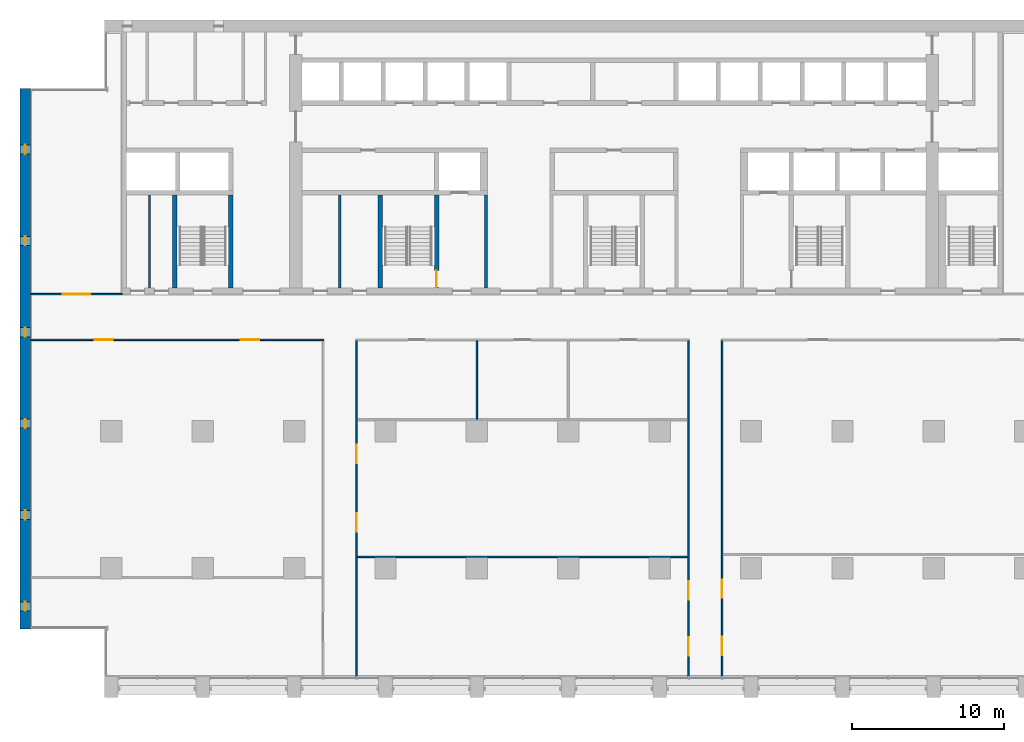
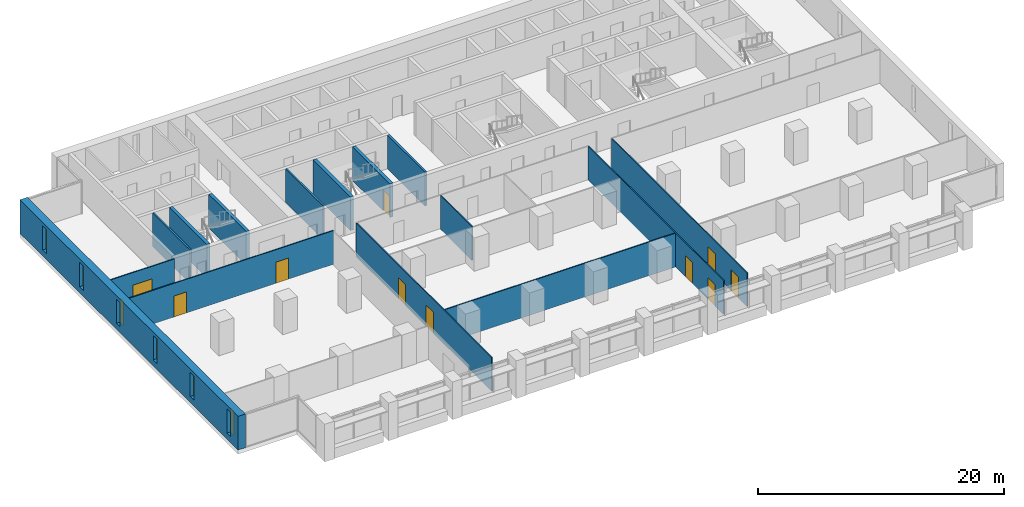
# One storey, part 8 of 15: 15 walls, 10 doors, 6 windows, 16 openings.
"""IFC4 building model written with IfcOpenShell, lengths in metres."""

from ifc_helpers import new_model, si_unit, direction, frame, frame_2d, origin, place, context, subcontext, project, spatial, rectangle, extrude, material, layer, layer_set, type_object, element, fill, save


model = new_model("IFC4")

# Units and contexts
model_context = context("Model", 3, precision=1e-05, world=origin(), true_north=direction((0.0, 1.0)))
body_context = subcontext(model_context, "Body", "Model", "MODEL_VIEW")
ifc_project = project(units=[si_unit("LENGTHUNIT", "METRE"), si_unit("AREAUNIT", "SQUARE_METRE"), si_unit("VOLUMEUNIT", "CUBIC_METRE"), si_unit("PLANEANGLEUNIT", "RADIAN"), si_unit("MASSUNIT", "GRAM", prefix="KILO")], contexts=[model_context])

# Site, building, storey
site_placement = place(None, origin())
site = spatial("IfcSite", under=ifc_project, at=site_placement, CompositionType="ELEMENT")
building_placement = place(site_placement, origin())
building = spatial("IfcBuilding", under=site, at=building_placement, Name="Calvaro Tower", CompositionType="ELEMENT")
storey_placement = place(building_placement, frame((0.0, 0.0, 110.0)))
storey = spatial("IfcBuildingStorey", under=building, at=storey_placement, Name="L27", CompositionType="ELEMENT", Elevation=110.0)

# Walls
ifc_material_1 = material(Name="Blockwork partition", Category="masonry")
ifc_layer_1 = layer(ifc_material_1, 0.14990234375)
ifc_layer_set_1 = layer_set([ifc_layer_1], Name="Blockwork partition")
wall_type_1 = type_object("IfcWallType", Name="Core partition 150 EI 60", PredefinedType="PARTITIONING", material=ifc_layer_set_1)
wall_1_placement = place(storey_placement, frame((21.0, 28.39990234375, 0.0), z_axis=(0.0, 0.0, 1.0), x_axis=(0.0, 1.0, 0.0)))
element("IfcWall", 1, at=wall_1_placement, inside=storey, type_object=wall_type_1, Name="Core partition", PredefinedType="PARTITIONING", context=body_context, shape_type="SweptSolid", body=[
    extrude(rectangle(XDim=6.10009765625, YDim=0.14990234375, at=frame_2d((3.050048828125, 0.0))), origin(), (0.0, 0.0, 1.0), 3.35009765625),
])
ifc_material_2 = material(Name="Blockwork partition", Category="masonry")
ifc_layer_2 = layer(ifc_material_2, 0.14990234375)
ifc_layer_set_2 = layer_set([ifc_layer_2], Name="Blockwork partition")
wall_type_2 = type_object("IfcWallType", Name="Core partition 150 REI 120", PredefinedType="PARTITIONING", material=ifc_layer_set_2)
wall_2_placement = place(storey_placement, frame((8.5, 28.39990234375, 0.0), z_axis=(0.0, 0.0, 1.0), x_axis=(0.0, 1.0, 0.0)))
element("IfcWall", 2, at=wall_2_placement, inside=storey, type_object=wall_type_2, Name="Core partition", PredefinedType="PARTITIONING", context=body_context, shape_type="SweptSolid", body=[
    extrude(rectangle(XDim=6.10009765625, YDim=0.14990234375, at=frame_2d((3.050048828125, 0.0))), origin(), (0.0, 0.0, 1.0), 3.35009765625),
])
ifc_material_3 = material(Name="Blockwork partition", Category="masonry")
ifc_layer_3 = layer(ifc_material_3, 0.199951171875)
ifc_layer_set_3 = layer_set([ifc_layer_3], Name="Blockwork partition")
wall_type_3 = type_object("IfcWallType", Name="Core partition 200 REI 120", PredefinedType="PARTITIONING", material=ifc_layer_set_3)
wall_3_placement = place(storey_placement, frame((30.60009765625, 28.39990234375, 0.0), z_axis=(0.0, 0.0, 1.0), x_axis=(0.0, 1.0, 0.0)))
element("IfcWall", 3, at=wall_3_placement, inside=storey, type_object=wall_type_3, Name="Core partition", PredefinedType="PARTITIONING", context=body_context, shape_type="SweptSolid", body=[
    extrude(rectangle(XDim=6.10009765625, YDim=0.199951171875, at=frame_2d((3.050048828125, 0.0))), origin(), (0.0, 0.0, 1.0), 3.35009765625),
])
ifc_material_4 = material(Name="Concrete C60/75", Category="concrete")
ifc_layer_4 = layer(ifc_material_4, 0.300048828125)
ifc_layer_set_4 = layer_set([ifc_layer_4], Name="Concrete C60/75")
wall_type_4 = type_object("IfcWallType", Name="Core wall C60/75 300", PredefinedType="SHEAR", material=ifc_layer_set_4)
for number, where, z_axis, x_axis, name in (
    (4, (10.14990234375, 28.39990234375, 0.0), (0.0, 0.0, 1.0), (0.0, 1.0, 0.0), "Core wall, stair enclosure"),
    (5, (13.85009765625, 28.39990234375, 0.0), (0.0, 0.0, 1.0), (0.0, 1.0, 0.0), "Core wall, stair enclosure"),
    (6, (23.64990234375, 28.39990234375, 0.0), (0.0, 0.0, 1.0), (0.0, 1.0, 0.0), "Core wall, stair enclosure"),
):
    element("IfcWall", number, at=place(storey_placement, frame(where, z_axis=z_axis, x_axis=x_axis)), inside=storey, type_object=wall_type_4, Name=name, PredefinedType="SHEAR", context=body_context, shape_type="SweptSolid", body=[
        extrude(rectangle(XDim=6.10009765625, YDim=0.300048828125, at=frame_2d((3.050048828125, 0.0))), origin(), (0.0, 0.0, 1.0), 3.35009765625),
    ])

# Wall, opening, door
wall_4_placement = place(storey_placement, frame((27.35009765625, 28.39990234375, 0.0), z_axis=(0.0, 0.0, 1.0), x_axis=(0.0, 1.0, 0.0)))
wall_4 = element("IfcWall", 7, at=wall_4_placement, inside=storey, type_object=wall_type_4, Name="Core wall, stair enclosure", PredefinedType="SHEAR", context=body_context, shape_type="SweptSolid", body=[
    extrude(rectangle(XDim=6.10009765625, YDim=0.300048828125, at=frame_2d((3.050048828125, 0.0))), origin(), (0.0, 0.0, 1.0), 3.35009765625),
])
opening_1_placement = place(wall_4_placement, frame((0.050048828125, 0.0, 0.0)))
opening_1 = element("IfcOpeningElement", 8, at=opening_1_placement, cuts=wall_4, Name="Opening FD11D", PredefinedType="OPENING", context=body_context, shape_type="SweptSolid", body=[
    extrude(rectangle(XDim=1.10009765625, YDim=2.10009765625, at=frame_2d((0.550048828125, 1.050048828125))), frame((0.0, 0.159912109375, 0.0), z_axis=(0.0, -1.0, 0.0), x_axis=(1.0, 0.0, 0.0)), (0.0, 0.0, 1.0), 0.320068359375),
])
ifc_material_5 = material(Name="Steel door set", Category="steel")
door_type_1 = type_object("IfcDoorType", Name="Fire door 1100 FD30S", OperationType="SINGLE_SWING_LEFT", PredefinedType="DOOR", material=ifc_material_5)
door_1_placement = place(opening_1_placement, origin())
door_1 = element("IfcDoor", 9, at=door_1_placement, inside=storey, type_object=door_type_1, Name="Fire door", OperationType="SINGLE_SWING_LEFT", OverallHeight=2.10009765625, OverallWidth=1.10009765625, PredefinedType="DOOR", context=body_context, shape_type="SweptSolid", body=[
    extrude(rectangle(XDim=1.10009765625, YDim=2.10009765625, at=frame_2d((0.550048828125, 1.050048828125))), frame((0.0, 0.02490234375, 0.0), z_axis=(0.0, -1.0, 0.0), x_axis=(1.0, 0.0, 0.0)), (0.0, 0.0, 1.0), 0.050048828125),
])
fill(opening_1, door_1)

# Wall, openings, windows
ifc_material_6 = material(Name="Concrete C60/75", Category="concrete")
ifc_layer_5 = layer(ifc_material_6, 0.699951171875)
ifc_layer_set_5 = layer_set([ifc_layer_5], Name="Concrete C60/75")
wall_type_5 = type_object("IfcWallType", Name="End wall 700 C60/75", PredefinedType="SHEAR", material=ifc_layer_set_5)
wall_5_placement = place(storey_placement, frame((0.35009765625, 6.0, 0.0), z_axis=(0.0, 0.0, 1.0), x_axis=(0.0, 1.0, 0.0)))
wall_5 = element("IfcWall", 10, at=wall_5_placement, inside=storey, type_object=wall_type_5, Name="End shear wall", PredefinedType="SHEAR", context=body_context, shape_type="SweptSolid", body=[
    extrude(rectangle(XDim=35.5, YDim=0.699951171875, at=frame_2d((17.75, 0.0))), origin(), (0.0, 0.0, 1.0), 3.35009765625),
])
opening_2_placement = place(wall_5_placement, frame((1.199951171875, 0.0, 0.60009765625)))
opening_2 = element("IfcOpeningElement", 11, at=opening_2_placement, cuts=wall_5, Name="Opening WW01", PredefinedType="OPENING", context=body_context, shape_type="SweptSolid", body=[
    extrude(rectangle(XDim=0.60009765625, YDim=2.39990234375, at=frame_2d((0.300048828125, 1.199951171875))), frame((0.0, 0.35986328125, 0.0), z_axis=(0.0, -1.0, 0.0), x_axis=(1.0, 0.0, 0.0)), (0.0, 0.0, 1.0), 0.719970703125),
])
opening_3_placement = place(wall_5_placement, frame((7.199951171875, 0.0, 0.60009765625)))
opening_3 = element("IfcOpeningElement", 12, at=opening_3_placement, cuts=wall_5, Name="Opening WW02", PredefinedType="OPENING", context=body_context, shape_type="SweptSolid", body=[
    extrude(rectangle(XDim=0.60009765625, YDim=2.39990234375, at=frame_2d((0.300048828125, 1.199951171875))), frame((0.0, 0.35986328125, 0.0), z_axis=(0.0, -1.0, 0.0), x_axis=(1.0, 0.0, 0.0)), (0.0, 0.0, 1.0), 0.719970703125),
])
opening_4_placement = place(wall_5_placement, frame((13.199951171875, 0.0, 0.60009765625)))
opening_4 = element("IfcOpeningElement", 13, at=opening_4_placement, cuts=wall_5, Name="Opening WW03", PredefinedType="OPENING", context=body_context, shape_type="SweptSolid", body=[
    extrude(rectangle(XDim=0.60009765625, YDim=2.39990234375, at=frame_2d((0.300048828125, 1.199951171875))), frame((0.0, 0.35986328125, 0.0), z_axis=(0.0, -1.0, 0.0), x_axis=(1.0, 0.0, 0.0)), (0.0, 0.0, 1.0), 0.719970703125),
])
opening_5_placement = place(wall_5_placement, frame((19.199951171875, 0.0, 0.60009765625)))
opening_5 = element("IfcOpeningElement", 14, at=opening_5_placement, cuts=wall_5, Name="Opening WW04", PredefinedType="OPENING", context=body_context, shape_type="SweptSolid", body=[
    extrude(rectangle(XDim=0.60009765625, YDim=2.39990234375, at=frame_2d((0.300048828125, 1.199951171875))), frame((0.0, 0.35986328125, 0.0), z_axis=(0.0, -1.0, 0.0), x_axis=(1.0, 0.0, 0.0)), (0.0, 0.0, 1.0), 0.719970703125),
])
opening_6_placement = place(wall_5_placement, frame((25.199951171875, 0.0, 0.60009765625)))
opening_6 = element("IfcOpeningElement", 15, at=opening_6_placement, cuts=wall_5, Name="Opening WW05", PredefinedType="OPENING", context=body_context, shape_type="SweptSolid", body=[
    extrude(rectangle(XDim=0.60009765625, YDim=2.39990234375, at=frame_2d((0.300048828125, 1.199951171875))), frame((0.0, 0.35986328125, 0.0), z_axis=(0.0, -1.0, 0.0), x_axis=(1.0, 0.0, 0.0)), (0.0, 0.0, 1.0), 0.719970703125),
])
opening_7_placement = place(wall_5_placement, frame((31.199951171875, 0.0, 0.60009765625)))
opening_7 = element("IfcOpeningElement", 16, at=opening_7_placement, cuts=wall_5, Name="Opening WW06", PredefinedType="OPENING", context=body_context, shape_type="SweptSolid", body=[
    extrude(rectangle(XDim=0.60009765625, YDim=2.39990234375, at=frame_2d((0.300048828125, 1.199951171875))), frame((0.0, 0.35986328125, 0.0), z_axis=(0.0, -1.0, 0.0), x_axis=(1.0, 0.0, 0.0)), (0.0, 0.0, 1.0), 0.719970703125),
])
ifc_material_7 = material(Name="Glass", Category="glass")
window_type = type_object("IfcWindowType", Name="Slit window 600 x 2400", PartitioningType="SINGLE_PANEL", PredefinedType="WINDOW", material=ifc_material_7)
window_1_placement = place(opening_2_placement, origin())
window_1 = element("IfcWindow", 17, at=window_1_placement, inside=storey, type_object=window_type, Name="Window WW01", OverallHeight=2.39990234375, OverallWidth=0.60009765625, PartitioningType="SINGLE_PANEL", PredefinedType="WINDOW", context=body_context, shape_type="SweptSolid", body=[
    extrude(rectangle(XDim=0.60009765625, YDim=2.39990234375, at=frame_2d((0.300048828125, 1.199951171875))), frame((0.0, 0.030029296875, 0.0), z_axis=(0.0, -1.0, 0.0), x_axis=(1.0, 0.0, 0.0)), (0.0, 0.0, 1.0), 0.06005859375),
])
fill(opening_2, window_1)
window_2_placement = place(opening_3_placement, origin())
window_2 = element("IfcWindow", 18, at=window_2_placement, inside=storey, type_object=window_type, Name="Window WW02", OverallHeight=2.39990234375, OverallWidth=0.60009765625, PartitioningType="SINGLE_PANEL", PredefinedType="WINDOW", context=body_context, shape_type="SweptSolid", body=[
    extrude(rectangle(XDim=0.60009765625, YDim=2.39990234375, at=frame_2d((0.300048828125, 1.199951171875))), frame((0.0, 0.030029296875, 0.0), z_axis=(0.0, -1.0, 0.0), x_axis=(1.0, 0.0, 0.0)), (0.0, 0.0, 1.0), 0.06005859375),
])
fill(opening_3, window_2)
window_3_placement = place(opening_4_placement, origin())
window_3 = element("IfcWindow", 19, at=window_3_placement, inside=storey, type_object=window_type, Name="Window WW03", OverallHeight=2.39990234375, OverallWidth=0.60009765625, PartitioningType="SINGLE_PANEL", PredefinedType="WINDOW", context=body_context, shape_type="SweptSolid", body=[
    extrude(rectangle(XDim=0.60009765625, YDim=2.39990234375, at=frame_2d((0.300048828125, 1.199951171875))), frame((0.0, 0.030029296875, 0.0), z_axis=(0.0, -1.0, 0.0), x_axis=(1.0, 0.0, 0.0)), (0.0, 0.0, 1.0), 0.06005859375),
])
fill(opening_4, window_3)
window_4_placement = place(opening_5_placement, origin())
window_4 = element("IfcWindow", 20, at=window_4_placement, inside=storey, type_object=window_type, Name="Window WW04", OverallHeight=2.39990234375, OverallWidth=0.60009765625, PartitioningType="SINGLE_PANEL", PredefinedType="WINDOW", context=body_context, shape_type="SweptSolid", body=[
    extrude(rectangle(XDim=0.60009765625, YDim=2.39990234375, at=frame_2d((0.300048828125, 1.199951171875))), frame((0.0, 0.030029296875, 0.0), z_axis=(0.0, -1.0, 0.0), x_axis=(1.0, 0.0, 0.0)), (0.0, 0.0, 1.0), 0.06005859375),
])
fill(opening_5, window_4)
window_5_placement = place(opening_6_placement, origin())
window_5 = element("IfcWindow", 21, at=window_5_placement, inside=storey, type_object=window_type, Name="Window WW05", OverallHeight=2.39990234375, OverallWidth=0.60009765625, PartitioningType="SINGLE_PANEL", PredefinedType="WINDOW", context=body_context, shape_type="SweptSolid", body=[
    extrude(rectangle(XDim=0.60009765625, YDim=2.39990234375, at=frame_2d((0.300048828125, 1.199951171875))), frame((0.0, 0.030029296875, 0.0), z_axis=(0.0, -1.0, 0.0), x_axis=(1.0, 0.0, 0.0)), (0.0, 0.0, 1.0), 0.06005859375),
])
fill(opening_6, window_5)
window_6_placement = place(opening_7_placement, origin())
window_6 = element("IfcWindow", 22, at=window_6_placement, inside=storey, type_object=window_type, Name="Window WW06", OverallHeight=2.39990234375, OverallWidth=0.60009765625, PartitioningType="SINGLE_PANEL", PredefinedType="WINDOW", context=body_context, shape_type="SweptSolid", body=[
    extrude(rectangle(XDim=0.60009765625, YDim=2.39990234375, at=frame_2d((0.300048828125, 1.199951171875))), frame((0.0, 0.030029296875, 0.0), z_axis=(0.0, -1.0, 0.0), x_axis=(1.0, 0.0, 0.0)), (0.0, 0.0, 1.0), 0.06005859375),
])
fill(opening_7, window_6)

# Wall
ifc_material_8 = material(Name="Plasterboard on steel studs", Category="steel")
ifc_layer_6 = layer(ifc_material_8, 0.10009765625)
ifc_layer_set_6 = layer_set([ifc_layer_6], Name="Plasterboard on steel studs")
wall_type_6 = type_object("IfcWallType", Name="Partition 100", PredefinedType="PARTITIONING", material=ifc_layer_set_6)
wall_6_placement = place(storey_placement, frame((22.14990234375, 10.75, 0.0), z_axis=(0.0, 0.0, 1.0), x_axis=(1.0, 0.0, 0.0)))
element("IfcWall", 23, at=wall_6_placement, inside=storey, type_object=wall_type_6, Name="Partition T17.W005", PredefinedType="PARTITIONING", context=body_context, shape_type="SweptSolid", body=[
    extrude(rectangle(XDim=21.7001953125, YDim=0.10009765625, at=frame_2d((10.85009765625, 0.0))), origin(), (0.0, 0.0, 1.0), 3.35009765625),
])

# Wall, openings, doors
wall_7_placement = place(storey_placement, frame((0.699951171875, 25.0, 0.0), z_axis=(0.0, 0.0, 1.0), x_axis=(1.0, 0.0, 0.0)))
wall_7 = element("IfcWall", 24, at=wall_7_placement, inside=storey, type_object=wall_type_6, Name="Partition T17.W008", PredefinedType="PARTITIONING", context=body_context, shape_type="SweptSolid", body=[
    extrude(rectangle(XDim=19.25, YDim=0.10009765625, at=frame_2d((9.625, 0.0))), origin(), (0.0, 0.0, 1.0), 3.35009765625),
])
opening_8_placement = place(wall_7_placement, frame((4.199951171875, 0.0, 0.0)))
opening_8 = element("IfcOpeningElement", 25, at=opening_8_placement, cuts=wall_7, Name="Opening T17.008", PredefinedType="OPENING", context=body_context, shape_type="SweptSolid", body=[
    extrude(rectangle(XDim=1.199951171875, YDim=2.10009765625, at=frame_2d((0.60009765625, 1.050048828125))), frame((0.0, 0.06005859375, 0.0), z_axis=(0.0, -1.0, 0.0), x_axis=(1.0, 0.0, 0.0)), (0.0, 0.0, 1.0), 0.1201171875),
])
opening_9_placement = place(wall_7_placement, frame((13.800048828125, 0.0, 0.0)))
opening_9 = element("IfcOpeningElement", 26, at=opening_9_placement, cuts=wall_7, Name="Opening T17.009", PredefinedType="OPENING", context=body_context, shape_type="SweptSolid", body=[
    extrude(rectangle(XDim=1.199951171875, YDim=2.10009765625, at=frame_2d((0.60009765625, 1.050048828125))), frame((0.0, 0.06005859375, 0.0), z_axis=(0.0, -1.0, 0.0), x_axis=(1.0, 0.0, 0.0)), (0.0, 0.0, 1.0), 0.1201171875),
])
ifc_material_9 = material(Name="Timber", Category="wood")
door_type_2 = type_object("IfcDoorType", Name="Internal single door 1200 x 2100", OperationType="SINGLE_SWING_LEFT", PredefinedType="DOOR", material=ifc_material_9)
door_2_placement = place(opening_8_placement, origin())
door_2 = element("IfcDoor", 27, at=door_2_placement, inside=storey, type_object=door_type_2, Name="Door T17.008", OperationType="SINGLE_SWING_LEFT", OverallHeight=2.10009765625, OverallWidth=1.199951171875, PredefinedType="DOOR", context=body_context, shape_type="SweptSolid", body=[
    extrude(rectangle(XDim=1.199951171875, YDim=2.10009765625, at=frame_2d((0.60009765625, 1.050048828125))), frame((0.0, 0.02490234375, 0.0), z_axis=(0.0, -1.0, 0.0), x_axis=(1.0, 0.0, 0.0)), (0.0, 0.0, 1.0), 0.050048828125),
])
fill(opening_8, door_2)
door_3_placement = place(opening_9_placement, origin())
door_3 = element("IfcDoor", 28, at=door_3_placement, inside=storey, type_object=door_type_2, Name="Door T17.009", OperationType="SINGLE_SWING_RIGHT", OverallHeight=2.10009765625, OverallWidth=1.199951171875, PredefinedType="DOOR", context=body_context, shape_type="SweptSolid", body=[
    extrude(rectangle(XDim=1.199951171875, YDim=2.10009765625, at=frame_2d((0.60009765625, 1.050048828125))), frame((0.0, 0.02490234375, 0.0), z_axis=(0.0, -1.0, 0.0), x_axis=(1.0, 0.0, 0.0)), (0.0, 0.0, 1.0), 0.050048828125),
])
fill(opening_9, door_3)

# Wall, opening, door
wall_8_placement = place(storey_placement, frame((0.699951171875, 28.0, 0.0), z_axis=(0.0, 0.0, 1.0), x_axis=(1.0, 0.0, 0.0)))
wall_8 = element("IfcWall", 29, at=wall_8_placement, inside=storey, type_object=wall_type_6, Name="Partition T17.W011", PredefinedType="PARTITIONING", context=body_context, shape_type="SweptSolid", body=[
    extrude(rectangle(XDim=6.0, YDim=0.10009765625, at=frame_2d((3.0, 0.0))), origin(), (0.0, 0.0, 1.0), 3.35009765625),
])
opening_10_placement = place(wall_8_placement, frame((2.10009765625, 0.0, 0.0)))
opening_10 = element("IfcOpeningElement", 30, at=opening_10_placement, cuts=wall_8, Name="Opening T17.015", PredefinedType="OPENING", context=body_context, shape_type="SweptSolid", body=[
    extrude(rectangle(XDim=1.800048828125, YDim=2.10009765625, at=frame_2d((0.89990234375, 1.050048828125))), frame((0.0, 0.06005859375, 0.0), z_axis=(0.0, -1.0, 0.0), x_axis=(1.0, 0.0, 0.0)), (0.0, 0.0, 1.0), 0.1201171875),
])
ifc_material_10 = material(Name="Timber", Category="wood")
door_type_3 = type_object("IfcDoorType", Name="Internal double door 1800 x 2100", OperationType="DOUBLE_DOOR_SINGLE_SWING", PredefinedType="DOOR", material=ifc_material_10)
door_4_placement = place(opening_10_placement, origin())
door_4 = element("IfcDoor", 31, at=door_4_placement, inside=storey, type_object=door_type_3, Name="Door T17.015", OperationType="DOUBLE_DOOR_SINGLE_SWING", OverallHeight=2.10009765625, OverallWidth=1.800048828125, PredefinedType="DOOR", context=body_context, shape_type="SweptSolid", body=[
    extrude(rectangle(XDim=1.800048828125, YDim=2.10009765625, at=frame_2d((0.89990234375, 1.050048828125))), frame((0.0, 0.02490234375, 0.0), z_axis=(0.0, -1.0, 0.0), x_axis=(1.0, 0.0, 0.0)), (0.0, 0.0, 1.0), 0.050048828125),
])
fill(opening_10, door_4)

# Wall, openings, doors
wall_9_placement = place(storey_placement, frame((22.10009765625, 2.89990234375, 0.0), z_axis=(0.0, 0.0, 1.0), x_axis=(0.0, 1.0, 0.0)))
wall_9 = element("IfcWall", 32, at=wall_9_placement, inside=storey, type_object=wall_type_6, Name="Partition T17.W014", PredefinedType="PARTITIONING", context=body_context, shape_type="SweptSolid", body=[
    extrude(rectangle(XDim=22.050048828125, YDim=0.10009765625, at=frame_2d((11.02490234375, 0.0))), origin(), (0.0, 0.0, 1.0), 3.35009765625),
])
opening_11_placement = place(wall_9_placement, frame((9.5, 0.0, 0.0)))
opening_11 = element("IfcOpeningElement", 33, at=opening_11_placement, cuts=wall_9, Name="Opening T17.006", PredefinedType="OPENING", context=body_context, shape_type="SweptSolid", body=[
    extrude(rectangle(XDim=1.199951171875, YDim=2.10009765625, at=frame_2d((0.60009765625, 1.050048828125))), frame((0.0, 0.06005859375, 0.0), z_axis=(0.0, -1.0, 0.0), x_axis=(1.0, 0.0, 0.0)), (0.0, 0.0, 1.0), 0.1201171875),
])
opening_12_placement = place(wall_9_placement, frame((14.0, 0.0, 0.0)))
opening_12 = element("IfcOpeningElement", 34, at=opening_12_placement, cuts=wall_9, Name="Opening T17.007", PredefinedType="OPENING", context=body_context, shape_type="SweptSolid", body=[
    extrude(rectangle(XDim=1.199951171875, YDim=2.10009765625, at=frame_2d((0.60009765625, 1.050048828125))), frame((0.0, 0.06005859375, 0.0), z_axis=(0.0, -1.0, 0.0), x_axis=(1.0, 0.0, 0.0)), (0.0, 0.0, 1.0), 0.1201171875),
])
door_5_placement = place(opening_11_placement, origin())
door_5 = element("IfcDoor", 35, at=door_5_placement, inside=storey, type_object=door_type_2, Name="Door T17.006", OperationType="SINGLE_SWING_LEFT", OverallHeight=2.10009765625, OverallWidth=1.199951171875, PredefinedType="DOOR", context=body_context, shape_type="SweptSolid", body=[
    extrude(rectangle(XDim=1.199951171875, YDim=2.10009765625, at=frame_2d((0.60009765625, 1.050048828125))), frame((0.0, 0.02490234375, 0.0), z_axis=(0.0, -1.0, 0.0), x_axis=(1.0, 0.0, 0.0)), (0.0, 0.0, 1.0), 0.050048828125),
])
fill(opening_11, door_5)
door_6_placement = place(opening_12_placement, origin())
door_6 = element("IfcDoor", 36, at=door_6_placement, inside=storey, type_object=door_type_2, Name="Door T17.007", OperationType="SINGLE_SWING_RIGHT", OverallHeight=2.10009765625, OverallWidth=1.199951171875, PredefinedType="DOOR", context=body_context, shape_type="SweptSolid", body=[
    extrude(rectangle(XDim=1.199951171875, YDim=2.10009765625, at=frame_2d((0.60009765625, 1.050048828125))), frame((0.0, 0.02490234375, 0.0), z_axis=(0.0, -1.0, 0.0), x_axis=(1.0, 0.0, 0.0)), (0.0, 0.0, 1.0), 0.050048828125),
])
fill(opening_12, door_6)

# Wall
wall_10_placement = place(storey_placement, frame((30.0, 19.800048828125, 0.0), z_axis=(0.0, 0.0, 1.0), x_axis=(0.0, 1.0, 0.0)))
element("IfcWall", 37, at=wall_10_placement, inside=storey, type_object=wall_type_6, Name="Partition T17.W015", PredefinedType="PARTITIONING", context=body_context, shape_type="SweptSolid", body=[
    extrude(rectangle(XDim=5.14990234375, YDim=0.10009765625, at=frame_2d((2.574951171875, 0.0))), origin(), (0.0, 0.0, 1.0), 3.35009765625),
])

# Wall, openings, doors
wall_11_placement = place(storey_placement, frame((43.89990234375, 2.89990234375, 0.0), z_axis=(0.0, 0.0, 1.0), x_axis=(0.0, 1.0, 0.0)))
wall_11 = element("IfcWall", 38, at=wall_11_placement, inside=storey, type_object=wall_type_6, Name="Partition T17.W017", PredefinedType="PARTITIONING", context=body_context, shape_type="SweptSolid", body=[
    extrude(rectangle(XDim=22.050048828125, YDim=0.10009765625, at=frame_2d((11.02490234375, 0.0))), origin(), (0.0, 0.0, 1.0), 3.35009765625),
])
opening_13_placement = place(wall_11_placement, frame((1.362548828125, 0.0, 0.0)))
opening_13 = element("IfcOpeningElement", 39, at=opening_13_placement, cuts=wall_11, Name="Opening T17.002", PredefinedType="OPENING", context=body_context, shape_type="SweptSolid", body=[
    extrude(rectangle(XDim=1.199951171875, YDim=2.10009765625, at=frame_2d((0.60009765625, 1.050048828125))), frame((0.0, 0.06005859375, 0.0), z_axis=(0.0, -1.0, 0.0), x_axis=(1.0, 0.0, 0.0)), (0.0, 0.0, 1.0), 0.1201171875),
])
opening_14_placement = place(wall_11_placement, frame((5.03759765625, 0.0, 0.0)))
opening_14 = element("IfcOpeningElement", 40, at=opening_14_placement, cuts=wall_11, Name="Opening T17.003", PredefinedType="OPENING", context=body_context, shape_type="SweptSolid", body=[
    extrude(rectangle(XDim=1.199951171875, YDim=2.10009765625, at=frame_2d((0.60009765625, 1.050048828125))), frame((0.0, 0.06005859375, 0.0), z_axis=(0.0, -1.0, 0.0), x_axis=(1.0, 0.0, 0.0)), (0.0, 0.0, 1.0), 0.1201171875),
])
door_7_placement = place(opening_13_placement, origin())
door_7 = element("IfcDoor", 41, at=door_7_placement, inside=storey, type_object=door_type_2, Name="Door T17.002", OperationType="SINGLE_SWING_LEFT", OverallHeight=2.10009765625, OverallWidth=1.199951171875, PredefinedType="DOOR", context=body_context, shape_type="SweptSolid", body=[
    extrude(rectangle(XDim=1.199951171875, YDim=2.10009765625, at=frame_2d((0.60009765625, 1.050048828125))), frame((0.0, 0.02490234375, 0.0), z_axis=(0.0, -1.0, 0.0), x_axis=(1.0, 0.0, 0.0)), (0.0, 0.0, 1.0), 0.050048828125),
])
fill(opening_13, door_7)
door_8_placement = place(opening_14_placement, origin())
door_8 = element("IfcDoor", 42, at=door_8_placement, inside=storey, type_object=door_type_2, Name="Door T17.003", OperationType="SINGLE_SWING_LEFT", OverallHeight=2.10009765625, OverallWidth=1.199951171875, PredefinedType="DOOR", context=body_context, shape_type="SweptSolid", body=[
    extrude(rectangle(XDim=1.199951171875, YDim=2.10009765625, at=frame_2d((0.60009765625, 1.050048828125))), frame((0.0, 0.02490234375, 0.0), z_axis=(0.0, -1.0, 0.0), x_axis=(1.0, 0.0, 0.0)), (0.0, 0.0, 1.0), 0.050048828125),
])
fill(opening_14, door_8)

wall_12_placement = place(storey_placement, frame((46.10009765625, 2.89990234375, 0.0), z_axis=(0.0, 0.0, 1.0), x_axis=(0.0, 1.0, 0.0)))
wall_12 = element("IfcWall", 43, at=wall_12_placement, inside=storey, type_object=wall_type_6, Name="Partition T17.W018", PredefinedType="PARTITIONING", context=body_context, shape_type="SweptSolid", body=[
    extrude(rectangle(XDim=22.050048828125, YDim=0.10009765625, at=frame_2d((11.02490234375, 0.0))), origin(), (0.0, 0.0, 1.0), 3.35009765625),
])
opening_15_placement = place(wall_12_placement, frame((1.39990234375, 0.0, 0.0)))
opening_15 = element("IfcOpeningElement", 44, at=opening_15_placement, cuts=wall_12, Name="Opening T17.004", PredefinedType="OPENING", context=body_context, shape_type="SweptSolid", body=[
    extrude(rectangle(XDim=1.199951171875, YDim=2.10009765625, at=frame_2d((0.60009765625, 1.050048828125))), frame((0.0, 0.06005859375, 0.0), z_axis=(0.0, -1.0, 0.0), x_axis=(1.0, 0.0, 0.0)), (0.0, 0.0, 1.0), 0.1201171875),
])
opening_16_placement = place(wall_12_placement, frame((5.14990234375, 0.0, 0.0)))
opening_16 = element("IfcOpeningElement", 45, at=opening_16_placement, cuts=wall_12, Name="Opening T17.005", PredefinedType="OPENING", context=body_context, shape_type="SweptSolid", body=[
    extrude(rectangle(XDim=1.199951171875, YDim=2.10009765625, at=frame_2d((0.60009765625, 1.050048828125))), frame((0.0, 0.06005859375, 0.0), z_axis=(0.0, -1.0, 0.0), x_axis=(1.0, 0.0, 0.0)), (0.0, 0.0, 1.0), 0.1201171875),
])
door_9_placement = place(opening_15_placement, origin())
door_9 = element("IfcDoor", 46, at=door_9_placement, inside=storey, type_object=door_type_2, Name="Door T17.004", OperationType="SINGLE_SWING_LEFT", OverallHeight=2.10009765625, OverallWidth=1.199951171875, PredefinedType="DOOR", context=body_context, shape_type="SweptSolid", body=[
    extrude(rectangle(XDim=1.199951171875, YDim=2.10009765625, at=frame_2d((0.60009765625, 1.050048828125))), frame((0.0, 0.02490234375, 0.0), z_axis=(0.0, -1.0, 0.0), x_axis=(1.0, 0.0, 0.0)), (0.0, 0.0, 1.0), 0.050048828125),
])
fill(opening_15, door_9)
door_10_placement = place(opening_16_placement, origin())
door_10 = element("IfcDoor", 47, at=door_10_placement, inside=storey, type_object=door_type_2, Name="Door T17.005", OperationType="SINGLE_SWING_LEFT", OverallHeight=2.10009765625, OverallWidth=1.199951171875, PredefinedType="DOOR", context=body_context, shape_type="SweptSolid", body=[
    extrude(rectangle(XDim=1.199951171875, YDim=2.10009765625, at=frame_2d((0.60009765625, 1.050048828125))), frame((0.0, 0.02490234375, 0.0), z_axis=(0.0, -1.0, 0.0), x_axis=(1.0, 0.0, 0.0)), (0.0, 0.0, 1.0), 0.050048828125),
])
fill(opening_16, door_10)

save(model, "model.ifc")
